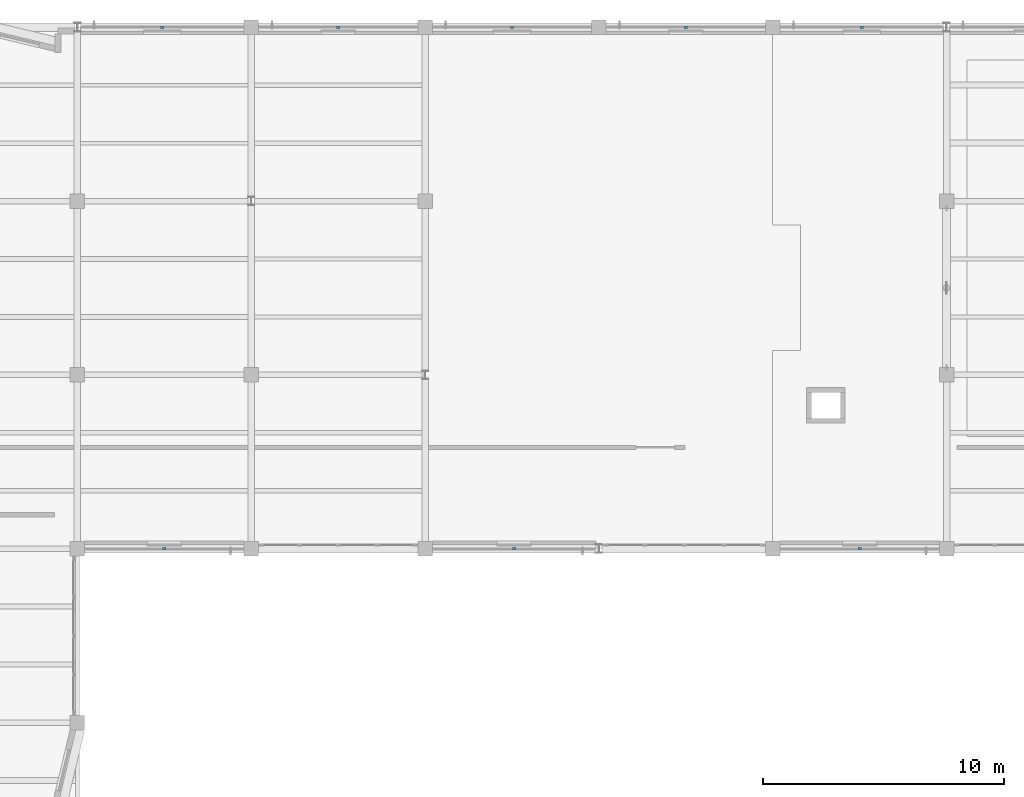
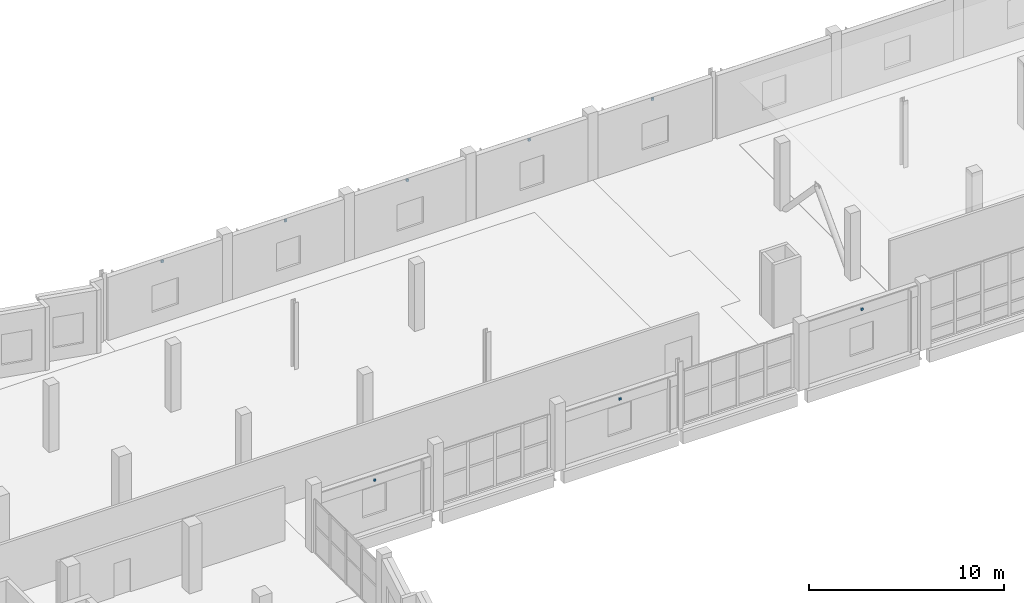
# One storey, part 77 of 94: 8 discrete accessories.
"""IFC4 building model written with IfcOpenShell, lengths in metres."""

from ifc_helpers import new_model, si_unit, direction, frame, origin, origin_2d, place, context, subcontext, project, spatial, rectangle, extrude, material, type_object, element, save


model = new_model("IFC4")

# Units and contexts
model_context = context("Model", 3, precision=1e-05, world=origin(), true_north=direction((0.0, 1.0)))
body_context = subcontext(model_context, "Body", "Model", "MODEL_VIEW")
ifc_project = project(units=[si_unit("LENGTHUNIT", "METRE"), si_unit("AREAUNIT", "SQUARE_METRE"), si_unit("VOLUMEUNIT", "CUBIC_METRE"), si_unit("PLANEANGLEUNIT", "RADIAN"), si_unit("MASSUNIT", "GRAM", prefix="KILO")], contexts=[model_context])

# Site, building, storey
site_placement = place(None, origin())
site = spatial("IfcSite", under=ifc_project, at=site_placement, CompositionType="ELEMENT")
building_placement = place(site_placement, origin())
building = spatial("IfcBuilding", under=site, at=building_placement, Name="Kalmorath City Hall", CompositionType="ELEMENT")
storey_placement = place(building_placement, frame((0.0, 0.0, 14.699951171875)))
storey = spatial("IfcBuildingStorey", under=building, at=storey_placement, Name="L03", CompositionType="ELEMENT", Elevation=14.699951171875)

# Discrete accessories
ifc_material = material(Name="Stainless steel Grade 316", Category="steel")
discrete_accessory_type = type_object("IfcDiscreteAccessoryType", Name="Stainless rainscreen support bracket", PredefinedType="BRACKET", material=ifc_material)
for number, where, z_axis, x_axis, name in (
    (1, (32.3134765625, 115.18994140625, 3.5302734375), (0.0, 0.0, 1.0), (1.0, 0.0, 0.0), "L03 basalt anchor bracket #58"),
    (2, (39.60009765625, 115.18994140625, 3.5302734375), (0.0, 0.0, 1.0), (1.0, 0.0, 0.0), "L03 basalt anchor bracket #59"),
    (3, (46.800048828125, 115.18994140625, 3.5302734375), (0.0, 0.0, 1.0), (1.0, 0.0, 0.0), "L03 basalt anchor bracket #60"),
    (4, (54.0, 115.18994140625, 3.5302734375), (0.0, 0.0, 1.0), (1.0, 0.0, 0.0), "L03 basalt anchor bracket #61"),
    (5, (61.28662109375, 115.18994140625, 3.5302734375), (0.0, 0.0, 1.0), (1.0, 0.0, 0.0), "L03 basalt anchor bracket #62"),
    (6, (61.199951171875, 93.610107421875, 3.5302734375), (0.0, 0.0, 1.0), (-1.0, 0.0, 0.0), "L03 basalt anchor bracket #73"),
    (7, (46.886474609375, 93.610107421875, 2.93212890625), (0.0, 0.0, 1.0), (-1.0, 0.0, 0.0), "L03 basalt anchor bracket #74"),
    (8, (32.39990234375, 93.610107421875, 2.93212890625), (0.0, 0.0, 1.0), (-1.0, 0.0, 0.0), "L03 basalt anchor bracket #75"),
):
    element("IfcDiscreteAccessory", number, at=place(storey_placement, frame(where, z_axis=z_axis, x_axis=x_axis)), inside=storey, type_object=discrete_accessory_type, Name=name, PredefinedType="BRACKET", context=body_context, shape_type="SweptSolid", body=[
        extrude(rectangle(XDim=0.139892578125, YDim=0.10009765625, at=origin_2d()), origin(), (0.0, 0.0, 1.0), 0.139892578125),
    ])

save(model, "model.ifc")
